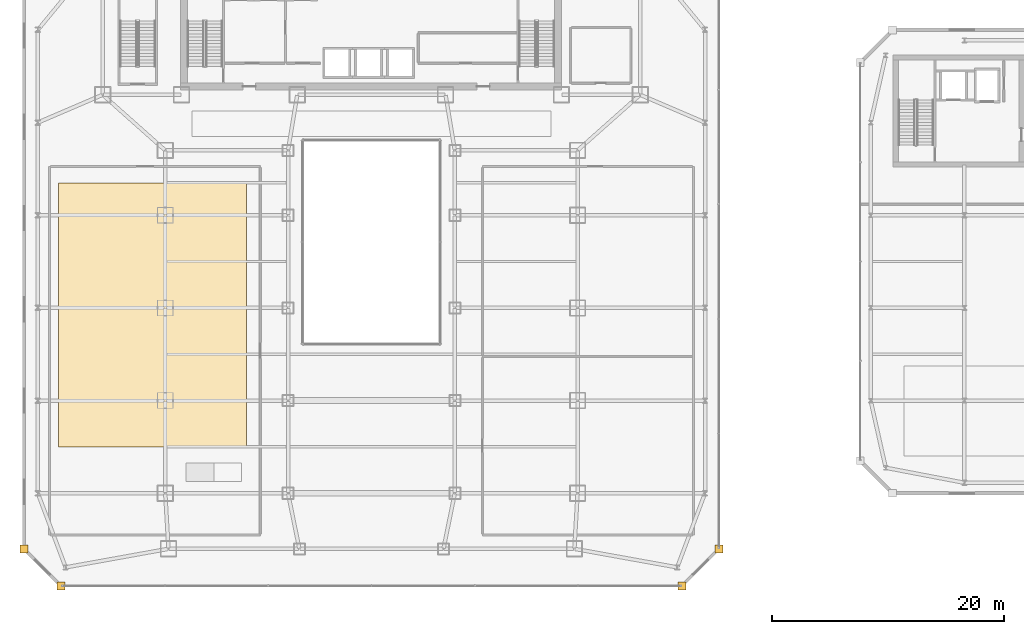
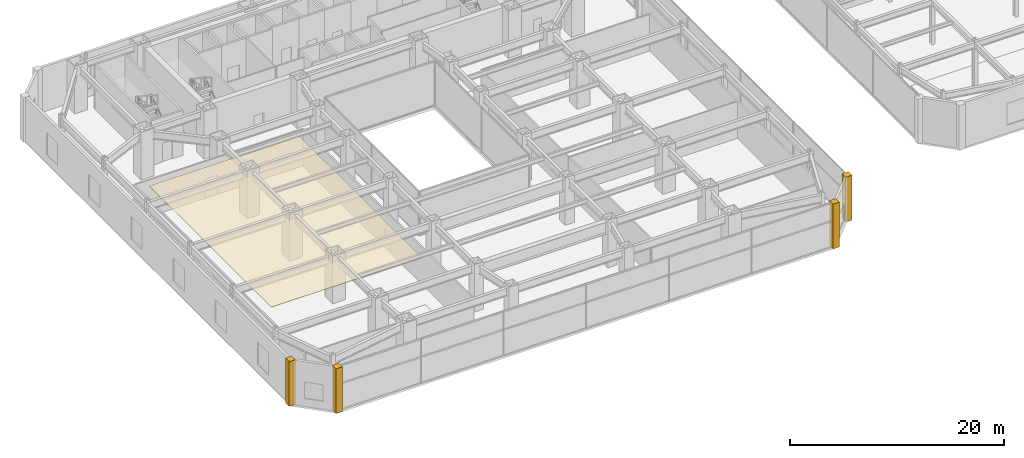
# One storey, part 44 of 51: 5 coverings.
"""IFC4 building model written with IfcOpenShell, lengths in metres."""

from ifc_helpers import new_model, si_unit, direction, frame, origin, place, context, subcontext, project, spatial, polyline, outline, extrude, material, layer, layer_set, type_object, element, save


model = new_model("IFC4")

# Units and contexts
model_context = context("Model", 3, precision=1e-05, world=origin(), true_north=direction((0.0, 1.0)))
body_context = subcontext(model_context, "Body", "Model", "MODEL_VIEW")
ifc_project = project(units=[si_unit("LENGTHUNIT", "METRE"), si_unit("AREAUNIT", "SQUARE_METRE"), si_unit("VOLUMEUNIT", "CUBIC_METRE"), si_unit("PLANEANGLEUNIT", "RADIAN"), si_unit("MASSUNIT", "GRAM", prefix="KILO")], contexts=[model_context])

# Site, building, storey
site_placement = place(None, origin())
site = spatial("IfcSite", under=ifc_project, at=site_placement, CompositionType="ELEMENT")
building_placement = place(site_placement, origin())
building = spatial("IfcBuilding", under=site, at=building_placement, Name="Saevonmaru Cultural Tower", CompositionType="ELEMENT")
storey_placement = place(building_placement, frame((0.0, 0.0, 6.0)))
storey = spatial("IfcBuildingStorey", under=building, at=storey_placement, Name="L01", CompositionType="ELEMENT", Elevation=6.0)

# Coverings
ifc_material = material(Name="Satin Bronze Anodised Aluminium", Category="aluminium")
ifc_layer_1 = layer(ifc_material, 0.06494140625, Name="Satin Bronze Anodised Aluminium")
ifc_layer_set_1 = layer_set([ifc_layer_1], Name="Satin Bronze Anodised Aluminium")
covering_type_1 = type_object("IfcCoveringType", Name="CV-CEIL-BAFFLE", PredefinedType="CEILING", material=ifc_layer_set_1)
covering_1_placement = place(storey_placement, frame((0.0, 0.0, 4.550048828125)))
element("IfcCovering", 1, at=covering_1_placement, inside=storey, type_object=covering_type_1, Name="L01 Cultural Wing Acoustic Suspended Ceiling", PredefinedType="CEILING", context=body_context, shape_type="SweptSolid", body=[
    extrude(outline(polyline([(3.0, 12.0), (19.199951171875, 12.0), (19.199951171875, 34.800048828125), (3.0, 34.800048828125), (3.0, 12.0)])), origin(), (0.0, 0.0, 1.0), 0.050048828125),
])
ifc_layer_2 = layer(ifc_material, 0.679931640625, Name="Satin Bronze Anodised Aluminium")
ifc_layer_set_2 = layer_set([ifc_layer_2], Name="Satin Bronze Anodised Aluminium")
covering_type_2 = type_object("IfcCoveringType", Name="CV-CORNER-CLAD", PredefinedType="CLADDING", material=ifc_layer_set_2)
covering_2_placement = place(storey_placement, origin())
element("IfcCovering", 2, at=covering_2_placement, inside=storey, type_object=covering_type_2, Name="L01 Podium Bronze Corner Cladding Pier 1", PredefinedType="CLADDING", context=body_context, shape_type="SweptSolid", body=[
    extrude(outline(polyline([(-0.340087890625, 2.860107421875), (0.340087890625, 2.860107421875), (0.340087890625, 3.5400390625), (-0.340087890625, 3.5400390625), (-0.340087890625, 2.860107421875)])), origin(), (0.0, 0.0, 1.0), 5.10009765625),
])
covering_3_placement = place(storey_placement, origin())
element("IfcCovering", 3, at=covering_3_placement, inside=storey, type_object=covering_type_2, Name="L01 Podium Bronze Corner Cladding Pier 2", PredefinedType="CLADDING", context=body_context, shape_type="SweptSolid", body=[
    extrude(outline(polyline([(2.860107421875, -0.340087890625), (3.5400390625, -0.340087890625), (3.5400390625, 0.340087890625), (2.860107421875, 0.340087890625), (2.860107421875, -0.340087890625)])), origin(), (0.0, 0.0, 1.0), 5.10009765625),
])
covering_4_placement = place(storey_placement, origin())
element("IfcCovering", 4, at=covering_4_placement, inside=storey, type_object=covering_type_2, Name="L01 Podium Bronze Corner Cladding Pier 3", PredefinedType="CLADDING", context=body_context, shape_type="SweptSolid", body=[
    extrude(outline(polyline([(56.4599609375, -0.340087890625), (57.139892578125, -0.340087890625), (57.139892578125, 0.340087890625), (56.4599609375, 0.340087890625), (56.4599609375, -0.340087890625)])), origin(), (0.0, 0.0, 1.0), 5.10009765625),
])
covering_5_placement = place(storey_placement, origin())
element("IfcCovering", 5, at=covering_5_placement, inside=storey, type_object=covering_type_2, Name="L01 Podium Bronze Corner Cladding Pier 4", PredefinedType="CLADDING", context=body_context, shape_type="SweptSolid", body=[
    extrude(outline(polyline([(59.659912109375, 2.860107421875), (60.340087890625, 2.860107421875), (60.340087890625, 3.5400390625), (59.659912109375, 3.5400390625), (59.659912109375, 2.860107421875)])), origin(), (0.0, 0.0, 1.0), 5.10009765625),
])

save(model, "model.ifc")
